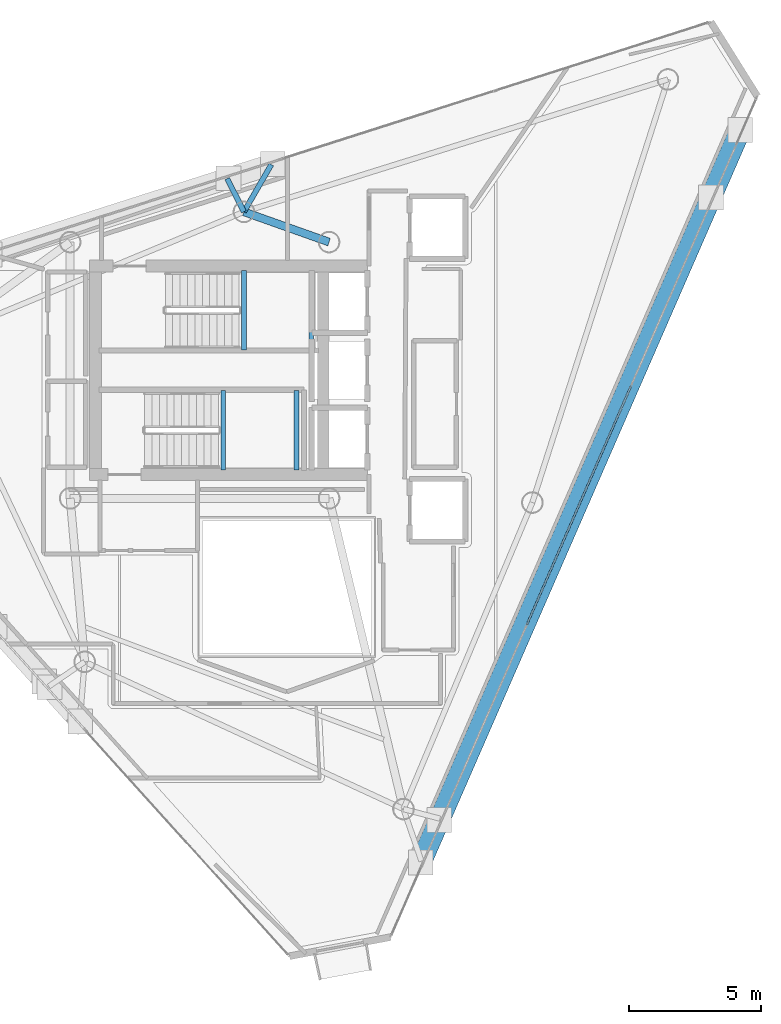
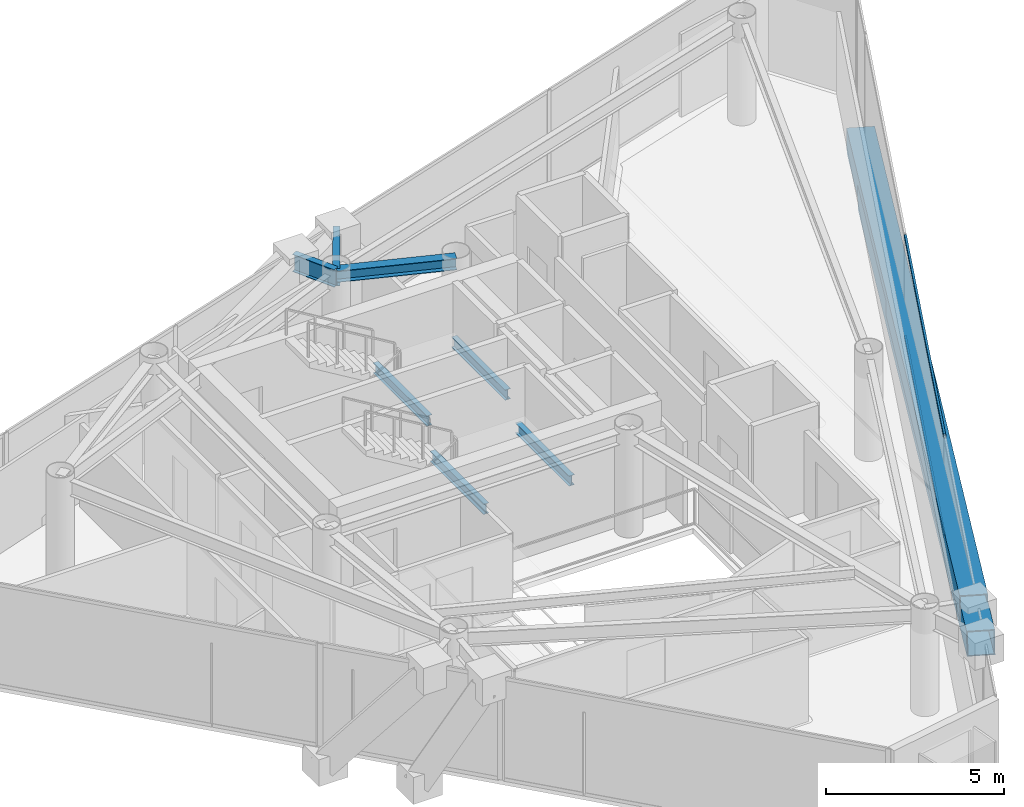
# One storey, part 10 of 19: 7 beams, 4 members, 1 element without a shape of its own.
"""IFC4 building model written with IfcOpenShell, lengths in metres."""

from ifc_helpers import new_model, si_unit, direction, frame, origin, origin_2d, place, context, subcontext, project, spatial, hollow_rectangle, i_section, extrude, material, layer, layer_set, material_profile, profile_set, type_object, element, aggregate, save


model = new_model("IFC4")

# Units and contexts
model_context = context("Model", 3, precision=1e-05, world=origin(), true_north=direction((0.0, 1.0)))
body_context = subcontext(model_context, "Body", "Model", "MODEL_VIEW")
ifc_project = project(units=[si_unit("LENGTHUNIT", "METRE"), si_unit("AREAUNIT", "SQUARE_METRE"), si_unit("VOLUMEUNIT", "CUBIC_METRE"), si_unit("PLANEANGLEUNIT", "RADIAN"), si_unit("MASSUNIT", "GRAM", prefix="KILO")], contexts=[model_context])

# Site, building, storey
site_placement = place(None, origin())
site = spatial("IfcSite", under=ifc_project, at=site_placement, CompositionType="ELEMENT")
building_placement = place(site_placement, origin())
building = spatial("IfcBuilding", under=site, at=building_placement, Name="Qianvela Tower", CompositionType="ELEMENT")
storey_placement = place(building_placement, frame((0.0, 0.0, 329.60009765625)))
storey = spatial("IfcBuildingStorey", under=building, at=storey_placement, Name="L85", CompositionType="ELEMENT", Elevation=329.60009765625)

# Beams
ifc_material_1 = material(Name="Steel Q355B", Category="steel")
ifc_material_profile_1 = material_profile(ifc_material_1, i_section(OverallWidth=0.300048828125, OverallDepth=0.389892578125, WebThickness=0.010009765625, FlangeThickness=0.01611328125, at=origin_2d()), Name="HM390x300x10x16")
ifc_profile_set_1 = profile_set([ifc_material_profile_1], Name="Steel Q355B")
beam_type_1 = type_object("IfcBeamType", Name="BM-HM390-COLL", PredefinedType="BEAM", material=ifc_profile_set_1)
beam_1_placement = place(storey_placement, frame((38.39990234375, 33.550048828125, 3.322998046875), z_axis=(-0.942297777183, 0.334775893871, 0.0), x_axis=(-0.334775893871, -0.942297777183, 0.0)))
element("IfcBeam", 1, at=beam_1_placement, inside=storey, type_object=beam_type_1, Name="L85 Radial Primary Floor Girder 2", PredefinedType="BEAM", context=body_context, shape_type="SweptSolid", body=[
    extrude(i_section(OverallWidth=0.300048828125, OverallDepth=0.389892578125, WebThickness=0.010009765625, FlangeThickness=0.01611328125, at=origin_2d()), origin(), (0.0, 0.0, 1.0), 3.420166015625),
])
ifc_material_2 = material(Name="Steel Q355B", Category="steel")
ifc_material_profile_2 = material_profile(ifc_material_2, i_section(OverallWidth=0.175048828125, OverallDepth=0.35009765625, WebThickness=0.007080078125, FlangeThickness=0.010986328125, at=origin_2d()), Name="HN350x175x7x11")
ifc_profile_set_2 = profile_set([ifc_material_profile_2], Name="Steel Q355B")
beam_type_2 = type_object("IfcBeamType", Name="BM-HN350-JOIST", PredefinedType="JOIST", material=ifc_profile_set_2)
for number, where, z_axis, x_axis, name in (
    (2, (35.179931640625, 29.4599609375, 1.474853515625), (0.0, 1.0, 0.0), (-1.0, 0.0, 0.0), "L85 Stair ST-1 Landing Support Beam 1.1"),
    (3, (37.719970703125, 29.4599609375, 1.474853515625), (0.0, 1.0, 0.0), (-1.0, 0.0, 0.0), "L85 Stair ST-1 Landing Support Beam 1.2"),
    (4, (34.39990234375, 24.919921875, 1.474853515625), (0.0, 1.0, 0.0), (-1.0, 0.0, 0.0), "L85 Stair ST-2 Landing Support Beam 1.1"),
    (5, (37.169921875, 24.919921875, 1.474853515625), (0.0, 1.0, 0.0), (-1.0, 0.0, 0.0), "L85 Stair ST-2 Landing Support Beam 1.2"),
):
    element("IfcBeam", number, at=place(storey_placement, frame(where, z_axis=z_axis, x_axis=x_axis)), inside=storey, type_object=beam_type_2, Name=name, PredefinedType="JOIST", context=body_context, shape_type="SweptSolid", body=[
        extrude(i_section(OverallWidth=0.175048828125, OverallDepth=0.35009765625, WebThickness=0.007080078125, FlangeThickness=0.010986328125, at=origin_2d()), origin(), (0.0, 0.0, 1.0), 3.02001953125),
    ])
ifc_material_3 = material(Name="Steel Q355B", Category="steel")
ifc_material_profile_3 = material_profile(ifc_material_3, i_section(OverallWidth=0.199951171875, OverallDepth=0.60009765625, WebThickness=0.010986328125, FlangeThickness=0.01708984375, at=origin_2d()), Name="HN600x200x11x17")
ifc_profile_set_3 = profile_set([ifc_material_profile_3], Name="Steel Q355B")
beam_type_3 = type_object("IfcBeamType", Name="BM-HN600-GIRD", PredefinedType="BEAM", material=ifc_profile_set_3)
beam_2_placement = place(storey_placement, frame((35.177001953125, 34.695068359375, 3.218017578125), z_axis=(0.501087441711, 0.865396658047, 0.0), x_axis=(-0.865396658047, 0.501087441711, 0.0)))
element("IfcBeam", 6, at=beam_2_placement, inside=storey, type_object=beam_type_3, Name="L85 Mega-Brace Column Tie Bracket F1-1", PredefinedType="BEAM", context=body_context, shape_type="SweptSolid", body=[
    extrude(i_section(OverallWidth=0.199951171875, OverallDepth=0.60009765625, WebThickness=0.010986328125, FlangeThickness=0.01708984375, at=origin_2d()), origin(), (0.0, 0.0, 1.0), 2.06884765625),
])
beam_3_placement = place(storey_placement, frame((35.177001953125, 34.695068359375, 3.218017578125), z_axis=(-0.449779939901, 0.893139409982, 0.0), x_axis=(-0.893139409982, -0.449779939901, 0.0)))
element("IfcBeam", 7, at=beam_3_placement, inside=storey, type_object=beam_type_3, Name="L85 Mega-Brace Column Tie Bracket F1-2", PredefinedType="BEAM", context=body_context, shape_type="SweptSolid", body=[
    extrude(i_section(OverallWidth=0.199951171875, OverallDepth=0.60009765625, WebThickness=0.010986328125, FlangeThickness=0.01708984375, at=origin_2d()), origin(), (0.0, 0.0, 1.0), 1.406982421875),
])

# Curtain wall, members
ifc_material_4 = material(Name="Anodised Architectural Aluminium and Insulated Spandrel Panel", Category="aluminium")
ifc_layer = layer(ifc_material_4, 0.179931640625)
ifc_layer_set = layer_set([ifc_layer], Name="Anodised Architectural Aluminium and Insulated Spandrel Panel")
curtain_wall_type = type_object("IfcCurtainWallType", Name="CW-BRACEBAY", PredefinedType="USERDEFINED", material=ifc_layer_set)
curtain_wall_placement = place(storey_placement, origin())
curtain_wall = element("IfcCurtainWall", 8, at=curtain_wall_placement, inside=storey, type_object=curtain_wall_type, Name="L85 CW-BRACEBAY Curtain Wall 06B", ObjectType="CURTAIN_WALL_SYSTEM", PredefinedType="USERDEFINED")
ifc_material_5 = material(Name="Anodised Architectural Aluminium 6063-T6", Category="aluminium")
ifc_material_profile_4 = material_profile(ifc_material_5, hollow_rectangle(XDim=0.06494140625, YDim=0.1298828125, WallThickness=0.00439453125, at=origin_2d()), Name="ALU-TRAN-65x130")
ifc_profile_set_4 = profile_set([ifc_material_profile_4], Name="Anodised Architectural Aluminium 6063-T6")
member_type_1 = type_object("IfcMemberType", Name="CW-BRACEBAY-TRAN", PredefinedType="USERDEFINED", material=ifc_profile_set_4)
member_1_placement = place(storey_placement, frame((45.89111328125, 19.076904296875, 0.032470703125), z_axis=(0.399820135881, 0.91659361712, 0.0), x_axis=(-0.91659361712, 0.399820135881, 0.0)))
member_1 = element("IfcMember", 9, at=member_1_placement, type_object=member_type_1, Name="CW-9 transom 2.1", ObjectType="TRANSOM", PredefinedType="USERDEFINED", context=body_context, shape_type="SweptSolid", body=[
    extrude(hollow_rectangle(XDim=0.06494140625, YDim=0.1298828125, WallThickness=0.00439453125, at=origin_2d()), origin(), (0.0, 0.0, 1.0), 9.83837890625),
])
member_2_placement = place(storey_placement, frame((45.89111328125, 19.076904296875, 3.4873046875), z_axis=(0.399820135881, 0.91659361712, 0.0), x_axis=(-0.91659361712, 0.399820135881, 0.0)))
member_2 = element("IfcMember", 10, at=member_2_placement, type_object=member_type_1, Name="CW-9 transom 2.2", ObjectType="TRANSOM", PredefinedType="USERDEFINED", context=body_context, shape_type="SweptSolid", body=[
    extrude(hollow_rectangle(XDim=0.06494140625, YDim=0.1298828125, WallThickness=0.00439453125, at=origin_2d()), origin(), (0.0, 0.0, 1.0), 9.83837890625),
])
aggregate(curtain_wall, [member_1, member_2])

# Members
ifc_material_6 = material(Name="Steel Q420GJC", Category="steel")
ifc_material_profile_5 = material_profile(ifc_material_6, hollow_rectangle(XDim=0.800048828125, YDim=0.800048828125, WallThickness=0.028076171875, at=origin_2d()), Name="MBOX-800x800x28")
ifc_profile_set_5 = profile_set([ifc_material_profile_5], Name="Steel Q420GJC")
member_type_2 = type_object("IfcMemberType", Name="MBR-MBRACE-800", PredefinedType="BRACE", material=ifc_profile_set_5)
member_3_placement = place(storey_placement, frame((52.829345703125, 35.18310546875, -0.482177734375), z_axis=(-0.396212641071, -0.908313564509, 0.134097023025), x_axis=(0.916592033498, -0.399823766336, 0.0)))
element("IfcMember", 11, at=member_3_placement, inside=storey, type_object=member_type_2, Name="L85 Tier 14 Exterior Mega-Brace F3A", PredefinedType="BRACE", context=body_context, shape_type="SweptSolid", body=[
    extrude(hollow_rectangle(XDim=0.800048828125, YDim=0.800048828125, WallThickness=0.028076171875, at=origin_2d()), origin(), (0.0, 0.0, 1.0), 27.593505859375),
])
member_4_placement = place(storey_placement, frame((53.94140625, 37.732421875, -0.482177734375), z_axis=(-0.396469164653, -0.90889442511, 0.129317924062), x_axis=(0.916590869994, -0.399826433649, 0.0)))
element("IfcMember", 12, at=member_4_placement, inside=storey, type_object=member_type_2, Name="L85 Tier 14 Exterior Mega-Brace F3B", PredefinedType="BRACE", context=body_context, shape_type="SweptSolid", body=[
    extrude(hollow_rectangle(XDim=0.800048828125, YDim=0.800048828125, WallThickness=0.028076171875, at=origin_2d()), origin(), (0.0, 0.0, 1.0), 28.61328125),
])

save(model, "model.ifc")
